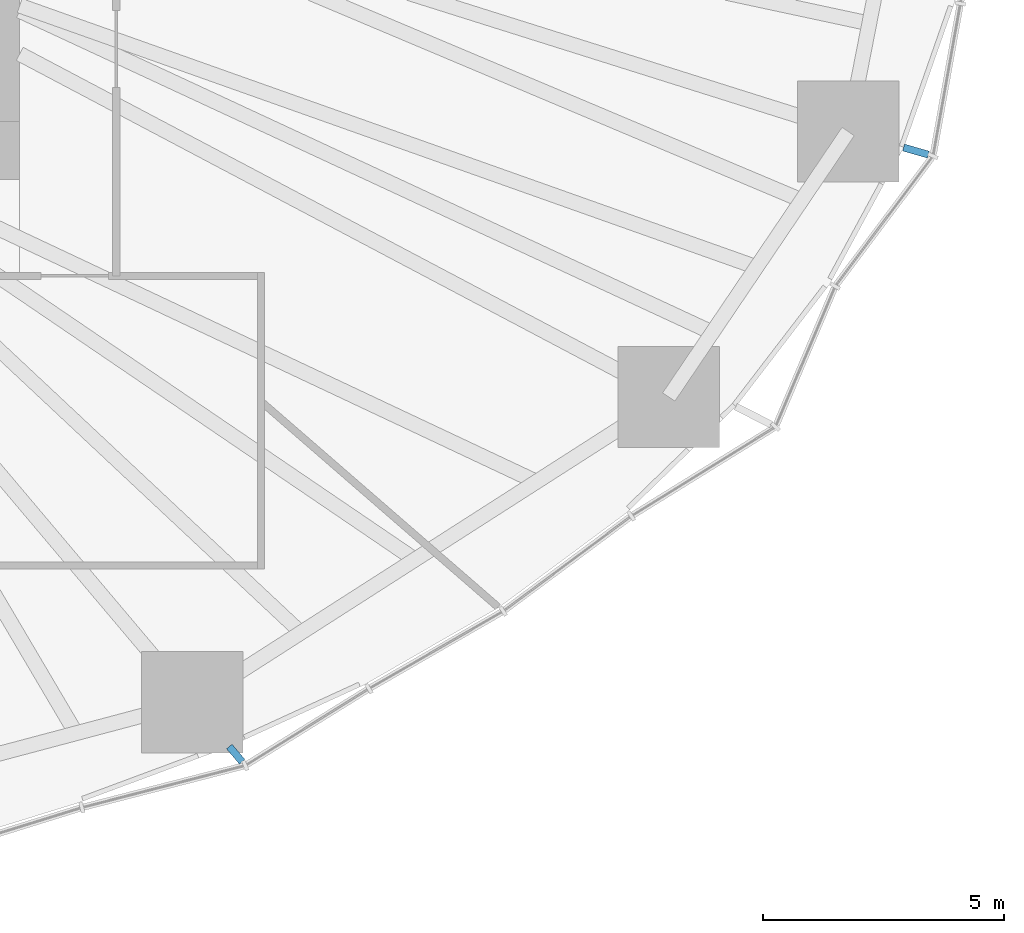
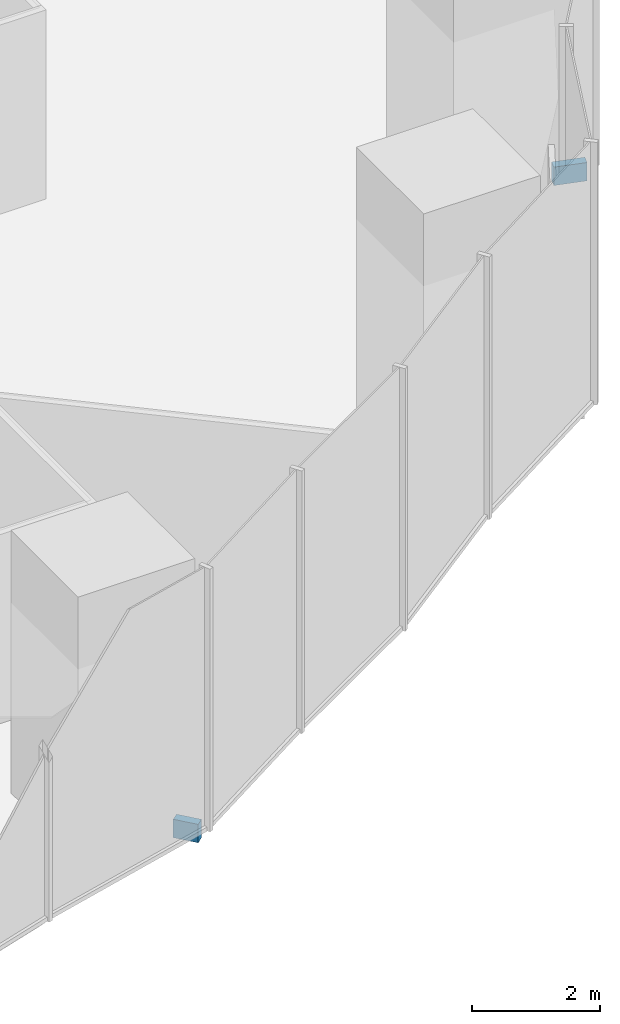
# One storey, part 14 of 20: 2 discrete accessories.
"""IFC4 building model written with IfcOpenShell, lengths in metres."""

from ifc_helpers import new_model, si_unit, direction, frame, origin, origin_2d, place, context, subcontext, project, spatial, rectangle, extrude, material, type_object, element, save


model = new_model("IFC4")

# Units and contexts
model_context = context("Model", 3, precision=1e-05, world=origin(), true_north=direction((0.0, 1.0)))
body_context = subcontext(model_context, "Body", "Model", "MODEL_VIEW")
ifc_project = project(units=[si_unit("LENGTHUNIT", "METRE"), si_unit("AREAUNIT", "SQUARE_METRE"), si_unit("VOLUMEUNIT", "CUBIC_METRE"), si_unit("PLANEANGLEUNIT", "RADIAN"), si_unit("MASSUNIT", "GRAM", prefix="KILO")], contexts=[model_context])

# Site, building, storey
site_placement = place(None, origin())
site = spatial("IfcSite", under=ifc_project, at=site_placement, CompositionType="ELEMENT")
building_placement = place(site_placement, origin())
building = spatial("IfcBuilding", under=site, at=building_placement, Name="Ghaith Harvest Tower", CompositionType="ELEMENT")
storey_placement = place(building_placement, frame((0.0, 0.0, 50.0)))
storey = spatial("IfcBuildingStorey", under=building, at=storey_placement, Name="L10", CompositionType="ELEMENT", Elevation=50.0)

# Discrete accessories
ifc_material_1 = material(Name="Stainless steel grade 1.4401", Category="steel")
discrete_accessory_type_1 = type_object("IfcDiscreteAccessoryType", Name="CURTAIN WALL BRACKET 415", PredefinedType="BRACKET", material=ifc_material_1)
discrete_accessory_1_placement = place(storey_placement, frame((18.475830078125, -21.90966796875, -0.25), z_axis=(0.0, 0.0, 1.0), x_axis=(0.644657240069, -0.764471741025, 0.0)))
element("IfcDiscreteAccessory", 1, at=discrete_accessory_1_placement, inside=storey, type_object=discrete_accessory_type_1, Name="CW-F bracket 1 bay 18 L10", PredefinedType="BRACKET", context=body_context, shape_type="SweptSolid", body=[
    extrude(rectangle(XDim=0.4150390625, YDim=0.14990234375, at=origin_2d()), origin(), (0.0, 0.0, 1.0), 0.35009765625),
])
ifc_material_2 = material(Name="Stainless steel grade 1.4401", Category="steel")
discrete_accessory_type_2 = type_object("IfcDiscreteAccessoryType", Name="CURTAIN WALL BRACKET 535", PredefinedType="BRACKET", material=ifc_material_2)
discrete_accessory_2_placement = place(storey_placement, frame((32.570556640625, -9.41357421875, -0.25), z_axis=(0.0, 0.0, 1.0), x_axis=(0.960680349932, -0.277656739976, 0.0)))
element("IfcDiscreteAccessory", 2, at=discrete_accessory_2_placement, inside=storey, type_object=discrete_accessory_type_2, Name="CW-F bracket 1 bay 20 L10", PredefinedType="BRACKET", context=body_context, shape_type="SweptSolid", body=[
    extrude(rectangle(XDim=0.534912109375, YDim=0.14990234375, at=origin_2d()), origin(), (0.0, 0.0, 1.0), 0.35009765625),
])

save(model, "model.ifc")
